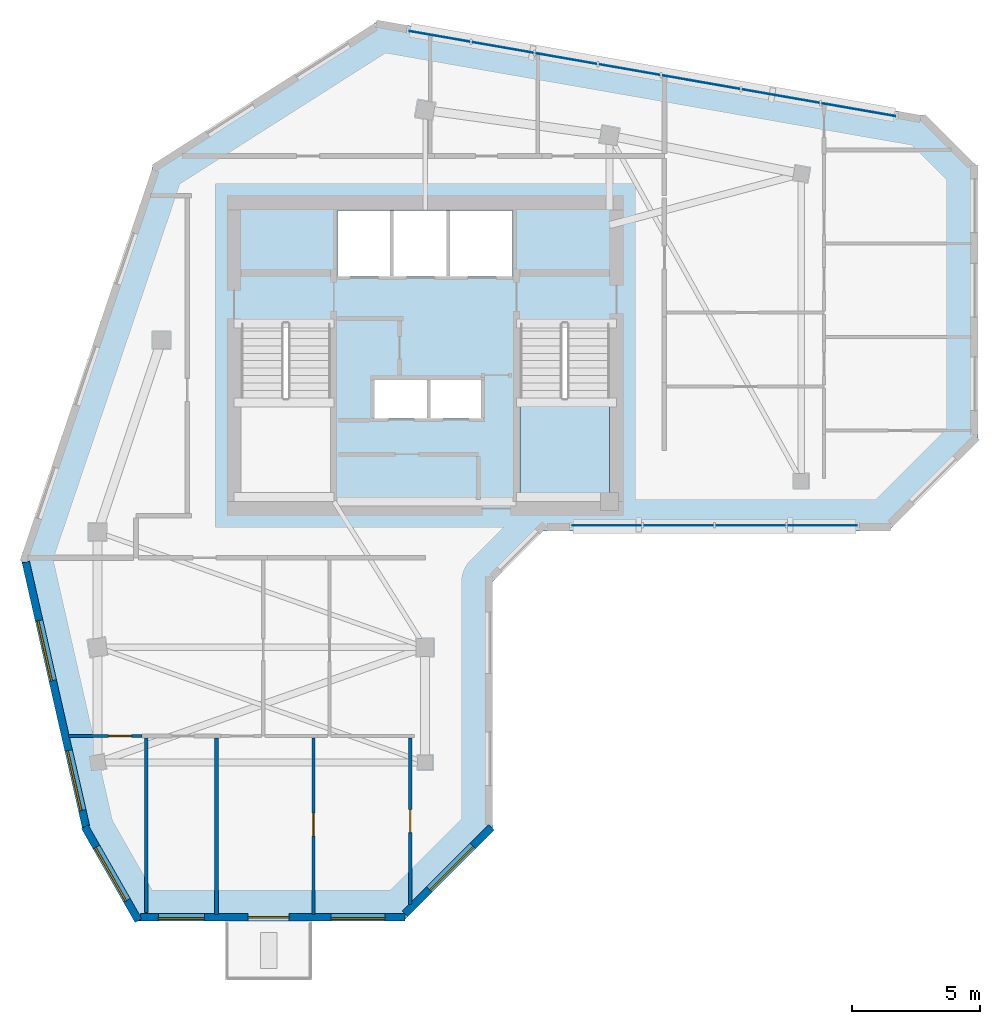
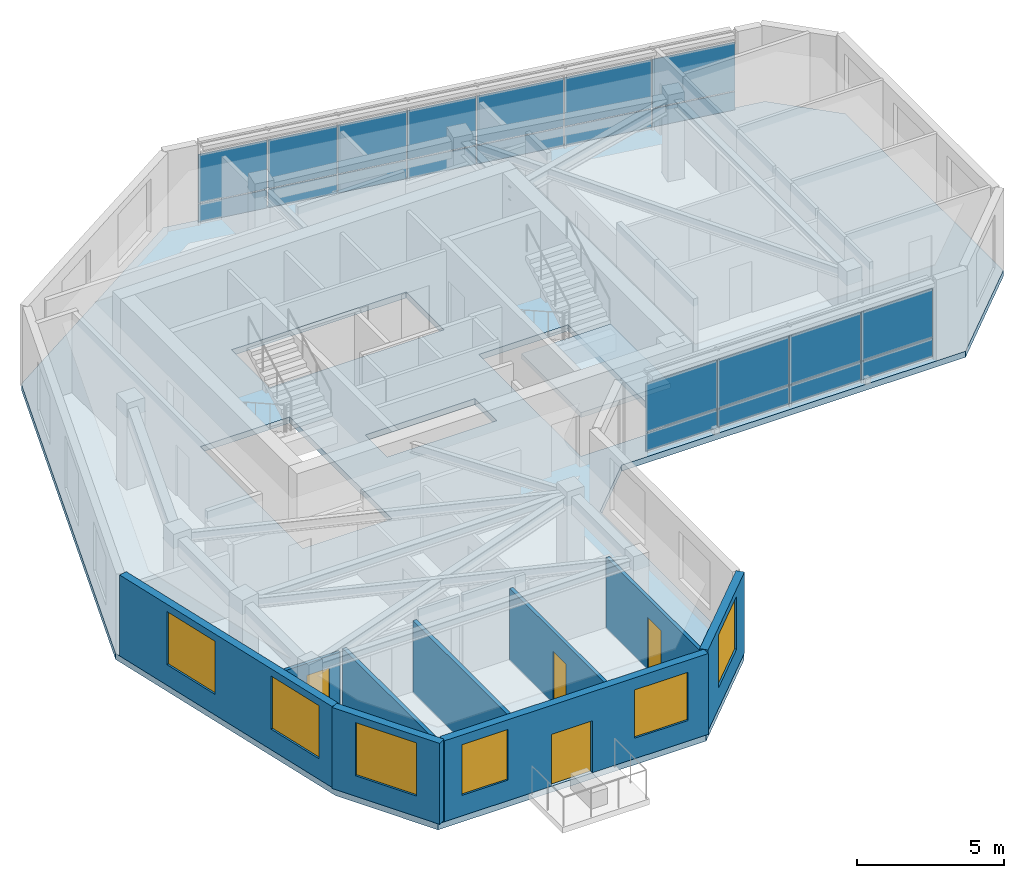
# One storey, part 2 of 8: 22 plates, 9 walls, 6 windows, 4 doors, 2 slabs, 10 openings, 3 elements without a shape of their own.
"""IFC4 building model written with IfcOpenShell, lengths in metres."""

from ifc_helpers import new_model, si_unit, direction, frame, frame_2d, origin, place, context, subcontext, project, spatial, polyline, rectangle, outline, extrude, source, transform, mapped, material, layer, layer_set, type_object, element, fill, aggregate, save


model = new_model("IFC4")

# Units and contexts
model_context = context("Model", 3, precision=1e-05, world=origin(), true_north=direction((0.0, 1.0)))
body_context = subcontext(model_context, "Body", "Model", "MODEL_VIEW")
ifc_project = project(units=[si_unit("LENGTHUNIT", "METRE"), si_unit("AREAUNIT", "SQUARE_METRE"), si_unit("VOLUMEUNIT", "CUBIC_METRE"), si_unit("PLANEANGLEUNIT", "RADIAN"), si_unit("MASSUNIT", "GRAM", prefix="KILO")], contexts=[model_context])

# Site, building, storey
site_placement = place(None, origin())
site = spatial("IfcSite", under=ifc_project, at=site_placement, CompositionType="ELEMENT")
building_placement = place(site_placement, origin())
building = spatial("IfcBuilding", under=site, at=building_placement, Name="Calvemar Wedge Station Tower", CompositionType="ELEMENT")
storey_placement = place(building_placement, frame((0.0, 0.0, 249.300048828125)))
storey = spatial("IfcBuildingStorey", under=building, at=storey_placement, Name="L63", CompositionType="ELEMENT", Elevation=249.300048828125)

# Curtain wall, plates
ifc_material_1 = material(Name="Anodised aluminium 6063-T6", Category="aluminium")
curtain_wall_type = type_object("IfcCurtainWallType", Name="CW6", PredefinedType="NOTDEFINED", material=ifc_material_1)
curtain_wall_1_placement = place(storey_placement, origin())
curtain_wall_1 = element("IfcCurtainWall", 1, at=curtain_wall_1_placement, inside=storey, type_object=curtain_wall_type, Name="Storey L63 CW6 Recessed Unitised Curtain Wall 6", PredefinedType="NOTDEFINED")
ifc_material_2 = material(Name="Low-E laminated insulated glass", Category="glass")
ifc_layer_1 = layer(ifc_material_2, 0.028076171875)
ifc_layer_set_1 = layer_set([ifc_layer_1], Name="Low-E laminated insulated glass")
plate_type_1 = type_object("IfcPlateType", Name="CW6-GLZ", PredefinedType="CURTAIN_PANEL", material=ifc_layer_set_1)
plate_1_placement = place(storey_placement, frame((29.48779296875, 33.26611328125, 0.869873046875), z_axis=(0.0, 0.0, 1.0), x_axis=(1.0, 0.0, 0.0)))
plate_1 = element("IfcPlate", 2, at=plate_1_placement, type_object=plate_type_1, Name="CW6 vision glass panel 1", PredefinedType="CURTAIN_PANEL", context=body_context, shape_type="SweptSolid", body=[
    extrude(rectangle(XDim=2.781005859375, YDim=0.028076171875, at=frame_2d((1.390625, 0.0))), origin(), (0.0, 0.0, 1.0), 2.010009765625),
])
plate_2_placement = place(storey_placement, frame((32.304931640625, 33.26611328125, 0.869873046875), z_axis=(0.0, 0.0, 1.0), x_axis=(1.0, 0.0, 0.0)))
plate_2 = element("IfcPlate", 3, at=plate_2_placement, type_object=plate_type_1, Name="CW6 vision glass panel 2", PredefinedType="CURTAIN_PANEL", context=body_context, shape_type="SweptSolid", body=[
    extrude(rectangle(XDim=2.781005859375, YDim=0.028076171875, at=frame_2d((1.390625, 0.0))), origin(), (0.0, 0.0, 1.0), 2.010009765625),
])
plate_3_placement = place(storey_placement, frame((35.121826171875, 33.26611328125, 0.869873046875), z_axis=(0.0, 0.0, 1.0), x_axis=(1.0, 0.0, 0.0)))
plate_3 = element("IfcPlate", 4, at=plate_3_placement, type_object=plate_type_1, Name="CW6 vision glass panel 3", PredefinedType="CURTAIN_PANEL", context=body_context, shape_type="SweptSolid", body=[
    extrude(rectangle(XDim=2.781005859375, YDim=0.028076171875, at=frame_2d((1.390625, 0.0))), origin(), (0.0, 0.0, 1.0), 2.010009765625),
])
plate_4_placement = place(storey_placement, frame((37.93896484375, 33.26611328125, 0.869873046875), z_axis=(0.0, 0.0, 1.0), x_axis=(1.0, 0.0, 0.0)))
plate_4 = element("IfcPlate", 5, at=plate_4_placement, type_object=plate_type_1, Name="CW6 vision glass panel 4", PredefinedType="CURTAIN_PANEL", context=body_context, shape_type="SweptSolid", body=[
    extrude(rectangle(XDim=2.781005859375, YDim=0.028076171875, at=frame_2d((1.390625, 0.0))), origin(), (0.0, 0.0, 1.0), 2.010009765625),
])

curtain_wall_2_placement = place(storey_placement, origin())
curtain_wall_2 = element("IfcCurtainWall", 6, at=curtain_wall_2_placement, inside=storey, type_object=curtain_wall_type, Name="Storey L63 CW6 Recessed Unitised Curtain Wall 10", PredefinedType="NOTDEFINED")
plate_5_placement = place(storey_placement, frame((42.2158203125, 49.25, 0.869873046875), z_axis=(0.0, 0.0, 1.0), x_axis=(-0.985039826474, 0.172326841378, 0.0)))
plate_5 = element("IfcPlate", 7, at=plate_5_placement, type_object=plate_type_1, Name="CW6 vision glass panel 1", PredefinedType="CURTAIN_PANEL", context=body_context, shape_type="SweptSolid", body=[
    extrude(rectangle(XDim=2.9892578125, YDim=0.028076171875, at=frame_2d((1.49462890625, 0.0))), origin(), (0.0, 0.0, 1.0), 2.010009765625),
])
plate_6_placement = place(storey_placement, frame((39.23583984375, 49.771484375, 0.869873046875), z_axis=(0.0, 0.0, 1.0), x_axis=(-0.985045707379, 0.172293222078, 0.0)))
plate_6 = element("IfcPlate", 8, at=plate_6_placement, type_object=plate_type_1, Name="CW6 vision glass panel 2", PredefinedType="CURTAIN_PANEL", context=body_context, shape_type="SweptSolid", body=[
    extrude(rectangle(XDim=3.12744140625, YDim=0.028076171875, at=frame_2d((1.563720703125, 0.0))), origin(), (0.0, 0.0, 1.0), 2.010009765625),
])
plate_7_placement = place(storey_placement, frame((36.119873046875, 50.31640625, 0.869873046875), z_axis=(0.0, 0.0, 1.0), x_axis=(-0.985032455421, 0.17236896985, 0.0)))
plate_7 = element("IfcPlate", 9, at=plate_7_placement, type_object=plate_type_1, Name="CW6 vision glass panel 3", PredefinedType="CURTAIN_PANEL", context=body_context, shape_type="SweptSolid", body=[
    extrude(rectangle(XDim=3.12744140625, YDim=0.028076171875, at=frame_2d((1.563720703125, 0.0))), origin(), (0.0, 0.0, 1.0), 2.010009765625),
])
plate_8_placement = place(storey_placement, frame((33.00390625, 50.861572265625, 0.869873046875), z_axis=(0.0, 0.0, 1.0), x_axis=(-0.985043436117, 0.172306206978, 0.0)))
plate_8 = element("IfcPlate", 10, at=plate_8_placement, type_object=plate_type_1, Name="CW6 vision glass panel 4", PredefinedType="CURTAIN_PANEL", context=body_context, shape_type="SweptSolid", body=[
    extrude(rectangle(XDim=2.476806640625, YDim=0.028076171875, at=frame_2d((1.23828125, 0.0))), origin(), (0.0, 0.0, 1.0), 2.010009765625),
])
plate_9_placement = place(storey_placement, frame((30.52880859375, 51.294677734375, 0.869873046875), z_axis=(0.0, 0.0, 1.0), x_axis=(-0.985040509104, 0.172322939343, 0.0)))
plate_9 = element("IfcPlate", 11, at=plate_9_placement, type_object=plate_type_1, Name="CW6 vision glass panel 5", PredefinedType="CURTAIN_PANEL", context=body_context, shape_type="SweptSolid", body=[
    extrude(rectangle(XDim=2.4765625, YDim=0.028076171875, at=frame_2d((1.23828125, 0.0))), origin(), (0.0, 0.0, 1.0), 2.010009765625),
])
plate_10_placement = place(storey_placement, frame((28.053955078125, 51.7275390625, 0.869873046875), z_axis=(0.0, 0.0, 1.0), x_axis=(-0.985028799202, 0.172389862645, 0.0)))
plate_10 = element("IfcPlate", 12, at=plate_10_placement, type_object=plate_type_1, Name="CW6 vision glass panel 6", PredefinedType="CURTAIN_PANEL", context=body_context, shape_type="SweptSolid", body=[
    extrude(rectangle(XDim=2.4853515625, YDim=0.028076171875, at=frame_2d((1.24267578125, 0.0))), origin(), (0.0, 0.0, 1.0), 2.010009765625),
])
plate_11_placement = place(storey_placement, frame((25.5703125, 52.162109375, 0.869873046875), z_axis=(0.0, 0.0, 1.0), x_axis=(-0.985039641183, 0.172327900522, 0.0)))
plate_11 = element("IfcPlate", 13, at=plate_11_placement, type_object=plate_type_1, Name="CW6 vision glass panel 7", PredefinedType="CURTAIN_PANEL", context=body_context, shape_type="SweptSolid", body=[
    extrude(rectangle(XDim=2.48486328125, YDim=0.028076171875, at=frame_2d((1.242431640625, 0.0))), origin(), (0.0, 0.0, 1.0), 2.010009765625),
])

# Plate
ifc_material_3 = material(Name="Oxidized bronze aluminium spandrel panel 5005-H24", Category="aluminium")
ifc_layer_2 = layer(ifc_material_3, 0.0400390625)
ifc_layer_set_2 = layer_set([ifc_layer_2], Name="Oxidized bronze aluminium spandrel panel 5005-H24")
plate_type_2 = type_object("IfcPlateType", Name="CW6-SPD", PredefinedType="SHEET", material=ifc_layer_set_2)
plate_12_placement = place(storey_placement, frame((29.48779296875, 33.26611328125, 0.079833984375), z_axis=(0.0, 0.0, 1.0), x_axis=(1.0, 0.0, 0.0)))
plate_12 = element("IfcPlate", 14, at=plate_12_placement, type_object=plate_type_2, Name="CW6 bronze spandrel panel 1", PredefinedType="SHEET", context=body_context, shape_type="SweptSolid", body=[
    extrude(rectangle(XDim=2.781005859375, YDim=0.0400390625, at=frame_2d((1.390625, 0.0))), origin(), (0.0, 0.0, 1.0), 0.75),
])

plate_13_placement = place(storey_placement, frame((32.304931640625, 33.26611328125, 0.079833984375), z_axis=(0.0, 0.0, 1.0), x_axis=(1.0, 0.0, 0.0)))
plate_13 = element("IfcPlate", 15, at=plate_13_placement, type_object=plate_type_2, Name="CW6 bronze spandrel panel 2", PredefinedType="SHEET", context=body_context, shape_type="SweptSolid", body=[
    extrude(rectangle(XDim=2.781005859375, YDim=0.0400390625, at=frame_2d((1.390625, 0.0))), origin(), (0.0, 0.0, 1.0), 0.75),
])

plate_14_placement = place(storey_placement, frame((35.121826171875, 33.26611328125, 0.079833984375), z_axis=(0.0, 0.0, 1.0), x_axis=(1.0, 0.0, 0.0)))
plate_14 = element("IfcPlate", 16, at=plate_14_placement, type_object=plate_type_2, Name="CW6 bronze spandrel panel 3", PredefinedType="SHEET", context=body_context, shape_type="SweptSolid", body=[
    extrude(rectangle(XDim=2.781005859375, YDim=0.0400390625, at=frame_2d((1.390625, 0.0))), origin(), (0.0, 0.0, 1.0), 0.75),
])

plate_15_placement = place(storey_placement, frame((37.93896484375, 33.26611328125, 0.079833984375), z_axis=(0.0, 0.0, 1.0), x_axis=(1.0, 0.0, 0.0)))
plate_15 = element("IfcPlate", 17, at=plate_15_placement, type_object=plate_type_2, Name="CW6 bronze spandrel panel 4", PredefinedType="SHEET", context=body_context, shape_type="SweptSolid", body=[
    extrude(rectangle(XDim=2.781005859375, YDim=0.0400390625, at=frame_2d((1.390625, 0.0))), origin(), (0.0, 0.0, 1.0), 0.75),
])

aggregate(curtain_wall_1, [plate_12, plate_1, plate_13, plate_2, plate_14, plate_3, plate_15, plate_4])

plate_16_placement = place(storey_placement, frame((42.2158203125, 49.25, 0.079833984375), z_axis=(0.0, 0.0, 1.0), x_axis=(-0.985039826474, 0.172326841378, 0.0)))
plate_16 = element("IfcPlate", 18, at=plate_16_placement, type_object=plate_type_2, Name="CW6 bronze spandrel panel 1", PredefinedType="SHEET", context=body_context, shape_type="SweptSolid", body=[
    extrude(rectangle(XDim=2.9892578125, YDim=0.0400390625, at=frame_2d((1.49462890625, 0.0))), origin(), (0.0, 0.0, 1.0), 0.75),
])

plate_17_placement = place(storey_placement, frame((39.23583984375, 49.771484375, 0.079833984375), z_axis=(0.0, 0.0, 1.0), x_axis=(-0.985045707379, 0.172293222078, 0.0)))
plate_17 = element("IfcPlate", 19, at=plate_17_placement, type_object=plate_type_2, Name="CW6 bronze spandrel panel 2", PredefinedType="SHEET", context=body_context, shape_type="SweptSolid", body=[
    extrude(rectangle(XDim=3.12744140625, YDim=0.0400390625, at=frame_2d((1.563720703125, 0.0))), origin(), (0.0, 0.0, 1.0), 0.75),
])

plate_18_placement = place(storey_placement, frame((36.119873046875, 50.31640625, 0.079833984375), z_axis=(0.0, 0.0, 1.0), x_axis=(-0.985032455421, 0.17236896985, 0.0)))
plate_18 = element("IfcPlate", 20, at=plate_18_placement, type_object=plate_type_2, Name="CW6 bronze spandrel panel 3", PredefinedType="SHEET", context=body_context, shape_type="SweptSolid", body=[
    extrude(rectangle(XDim=3.12744140625, YDim=0.0400390625, at=frame_2d((1.563720703125, 0.0))), origin(), (0.0, 0.0, 1.0), 0.75),
])

plate_19_placement = place(storey_placement, frame((33.00390625, 50.861572265625, 0.079833984375), z_axis=(0.0, 0.0, 1.0), x_axis=(-0.985043436117, 0.172306206978, 0.0)))
plate_19 = element("IfcPlate", 21, at=plate_19_placement, type_object=plate_type_2, Name="CW6 bronze spandrel panel 4", PredefinedType="SHEET", context=body_context, shape_type="SweptSolid", body=[
    extrude(rectangle(XDim=2.476806640625, YDim=0.0400390625, at=frame_2d((1.23828125, 0.0))), origin(), (0.0, 0.0, 1.0), 0.75),
])

plate_20_placement = place(storey_placement, frame((30.52880859375, 51.294677734375, 0.079833984375), z_axis=(0.0, 0.0, 1.0), x_axis=(-0.985040509104, 0.172322939343, 0.0)))
plate_20 = element("IfcPlate", 22, at=plate_20_placement, type_object=plate_type_2, Name="CW6 bronze spandrel panel 5", PredefinedType="SHEET", context=body_context, shape_type="SweptSolid", body=[
    extrude(rectangle(XDim=2.4765625, YDim=0.0400390625, at=frame_2d((1.23828125, 0.0))), origin(), (0.0, 0.0, 1.0), 0.75),
])

plate_21_placement = place(storey_placement, frame((28.053955078125, 51.7275390625, 0.079833984375), z_axis=(0.0, 0.0, 1.0), x_axis=(-0.985028799202, 0.172389862645, 0.0)))
plate_21 = element("IfcPlate", 23, at=plate_21_placement, type_object=plate_type_2, Name="CW6 bronze spandrel panel 6", PredefinedType="SHEET", context=body_context, shape_type="SweptSolid", body=[
    extrude(rectangle(XDim=2.4853515625, YDim=0.0400390625, at=frame_2d((1.24267578125, 0.0))), origin(), (0.0, 0.0, 1.0), 0.75),
])

plate_22_placement = place(storey_placement, frame((25.5703125, 52.162109375, 0.079833984375), z_axis=(0.0, 0.0, 1.0), x_axis=(-0.985039641183, 0.172327900522, 0.0)))
plate_22 = element("IfcPlate", 24, at=plate_22_placement, type_object=plate_type_2, Name="CW6 bronze spandrel panel 7", PredefinedType="SHEET", context=body_context, shape_type="SweptSolid", body=[
    extrude(rectangle(XDim=2.48486328125, YDim=0.0400390625, at=frame_2d((1.242431640625, 0.0))), origin(), (0.0, 0.0, 1.0), 0.75),
])

aggregate(curtain_wall_2, [plate_16, plate_5, plate_17, plate_6, plate_18, plate_7, plate_19, plate_8, plate_20, plate_9, plate_21, plate_10, plate_22, plate_11])

# Stair, slab
ifc_material_4 = material(Name="Concrete C45", Category="concrete")
stair_type = type_object("IfcStairType", Name="ST-TYPE-3600", PredefinedType="HALF_TURN_STAIR", material=ifc_material_4)
stair_placement = place(storey_placement, origin())
stair = element("IfcStair", 25, at=stair_placement, inside=storey, type_object=stair_type, Name="L63 Pressurized Core Exit Stair ST-C2", PredefinedType="HALF_TURN_STAIR")
ifc_layer_3 = layer(ifc_material_4, 0.199951171875)
ifc_layer_set_3 = layer_set([ifc_layer_3], Name="Concrete C45")
slab_type_1 = type_object("IfcSlabType", Name="SL-STAIR-LND-200", PredefinedType="LANDING", material=ifc_layer_set_3)
slab_1_placement = place(storey_placement, frame((0.0, 0.0, 1.599853515625)))
slab_1 = element("IfcSlab", 26, at=slab_1_placement, type_object=slab_type_1, Name="ST-C2 landing 1", PredefinedType="LANDING", context=body_context, shape_type="SweptSolid", body=[
    extrude(outline(polyline([(27.5, 38.25), (27.5, 34.199951171875), (31.0, 34.199951171875), (31.0, 38.25), (27.5, 38.25)])), origin(), (0.0, 0.0, 1.0), 0.2001953125),
])
aggregate(stair, [slab_1])

# Slab
ifc_material_5 = material(Name="Concrete C50", Category="concrete")
ifc_layer_4 = layer(ifc_material_5, 0.25)
ifc_layer_set_4 = layer_set([ifc_layer_4], Name="Concrete C50")
slab_type_2 = type_object("IfcSlabType", Name="SL-TYP-250", PredefinedType="FLOOR", material=ifc_layer_set_4)
slab_2_placement = place(storey_placement, frame((0.0, 0.0, -0.25)))
element("IfcSlab", 27, at=slab_2_placement, inside=storey, type_object=slab_type_2, Name="Storey L63 Structural Floor Slab", PredefinedType="FLOOR", context=body_context, shape_type="SweptSolid", body=[
    extrude(outline(polyline([(8.0, 32.0), (10.431884765625, 21.300048828125), (12.431884765625, 17.800048828125), (22.931884765625, 17.800048828125), (26.431884765625, 21.300048828125), (26.431884765625, 31.055908203125), (28.431884765625, 33.055908203125), (41.89990234375, 33.055908203125), (45.39990234375, 36.555908203125), (45.39990234375, 47.256103515625), (43.39990234375, 49.256103515625), (22.0, 53.0), (13.199951171875, 47.39990234375), (8.0, 32.0)]), holes=[polyline([(20.10009765625, 34.199951171875), (20.10009765625, 41.14990234375), (16.60009765625, 41.14990234375), (16.60009765625, 34.199951171875), (20.10009765625, 34.199951171875)]), polyline([(31.0, 34.199951171875), (31.0, 41.14990234375), (27.5, 41.14990234375), (27.5, 34.199951171875), (31.0, 34.199951171875)]), polyline([(23.929931640625, 38.949951171875), (21.7900390625, 38.949951171875), (21.7900390625, 37.449951171875), (23.929931640625, 37.449951171875), (23.93994140625, 37.449951171875), (26.080078125, 37.449951171875), (26.080078125, 38.949951171875), (23.93994140625, 38.949951171875), (23.929931640625, 38.949951171875)]), polyline([(27.219970703125, 43.0), (27.219970703125, 45.580078125), (20.3798828125, 45.580078125), (20.3798828125, 43.0), (27.219970703125, 43.0)])]), origin(), (0.0, 0.0, 1.0), 0.25),
])

# Wall, opening, window
ifc_material_6 = material(Name="Precast concrete C45", Category="concrete")
ifc_layer_5 = layer(ifc_material_6, 0.300048828125)
ifc_layer_set_5 = layer_set([ifc_layer_5], Name="Precast concrete C45")
wall_type_1 = type_object("IfcWallType", Name="W-EXT-GFRC-300", PredefinedType="SOLIDWALL", material=ifc_layer_set_5)
wall_1_placement = place(storey_placement, frame((10.498779296875, 21.4853515625, 0.0), z_axis=(0.0, 0.0, 1.0), x_axis=(0.496163848656, -0.868228907194, 0.0)))
wall_1 = element("IfcWall", 28, at=wall_1_placement, inside=storey, type_object=wall_type_1, Name="Storey L63 Bronze GFRC Exterior Wall 1", PredefinedType="SOLIDWALL", context=body_context, shape_type="SweptSolid", body=[
    extrude(rectangle(XDim=4.221923828125, YDim=0.300048828125, at=frame_2d((2.11083984375, 0.0))), origin(), (0.0, 0.0, 1.0), 3.349853515625),
])
shared_shape_1 = source(origin(), body_context, "Body", "SweptSolid", [
    extrude(rectangle(XDim=2.39990234375, YDim=2.199951171875, at=frame_2d((1.199951171875, 1.10009765625))), frame((0.0, 0.16015625, 0.0), z_axis=(0.0, -1.0, 0.0), x_axis=(1.0, 0.0, 0.0)), (0.0, 0.0, 1.0), 0.320068359375),
])
opening_1_placement = place(wall_1_placement, frame((0.910888671875, 0.0, 0.85009765625)))
opening_1 = element("IfcOpeningElement", 29, at=opening_1_placement, cuts=wall_1, Name="Opening W1", PredefinedType="OPENING", context=body_context, shape_type="MappedRepresentation", body=[
    mapped(shared_shape_1, transform((0.0, 0.0, 0.0), scale=1.0)),
])
window_type_1 = type_object("IfcWindowType", Name="WIN-EXT-1", PartitioningType="SINGLE_PANEL", PredefinedType="WINDOW", material=ifc_material_2)
shared_shape_2 = source(origin(), body_context, "Body", "SweptSolid", [
    extrude(rectangle(XDim=2.39990234375, YDim=2.199951171875, at=frame_2d((1.199951171875, 1.10009765625))), frame((0.0, -0.014892578125, 0.0), z_axis=(0.0, -1.0, 0.0), x_axis=(1.0, 0.0, 0.0)), (0.0, 0.0, 1.0), 0.06005859375),
])
window_1_placement = place(opening_1_placement, origin())
window_1 = element("IfcWindow", 30, at=window_1_placement, inside=storey, type_object=window_type_1, Name="Storey L63 Recessed Window 1.1", OverallHeight=2.199951171875, OverallWidth=2.39990234375, PartitioningType="SINGLE_PANEL", PredefinedType="WINDOW", context=body_context, shape_type="MappedRepresentation", body=[
    mapped(shared_shape_2, transform((0.0, 0.0, 0.0), scale=1.0)),
])
fill(opening_1, window_1)

# Wall, openings, windows, door
wall_2_placement = place(storey_placement, frame((12.677978515625, 17.949951171875, 0.0), z_axis=(0.0, 0.0, 1.0), x_axis=(1.0, 0.0, 0.0)))
wall_2 = element("IfcWall", 31, at=wall_2_placement, inside=storey, type_object=wall_type_1, Name="Storey L63 Bronze GFRC Exterior Wall 2", PredefinedType="SOLIDWALL", context=body_context, shape_type="SweptSolid", body=[
    extrude(rectangle(XDim=10.342041015625, YDim=0.300048828125, at=frame_2d((5.1708984375, 0.0))), origin(), (0.0, 0.0, 1.0), 3.349853515625),
])
shared_shape_3 = source(origin(), body_context, "Body", "SweptSolid", [
    extrude(rectangle(XDim=1.60009765625, YDim=2.14990234375, at=frame_2d((0.800048828125, 1.074951171875))), frame((0.0, 0.16015625, 0.0), z_axis=(0.0, -1.0, 0.0), x_axis=(1.0, 0.0, 0.0)), (0.0, 0.0, 1.0), 0.320068359375),
])
opening_2_placement = place(wall_2_placement, frame((4.2041015625, 0.0, 0.0)))
opening_2 = element("IfcOpeningElement", 32, at=opening_2_placement, cuts=wall_2, Name="Opening DT1", PredefinedType="OPENING", context=body_context, shape_type="MappedRepresentation", body=[
    mapped(shared_shape_3, transform((0.0, 0.0, 0.0), scale=1.0)),
])
shared_shape_4 = source(origin(), body_context, "Body", "SweptSolid", [
    extrude(rectangle(XDim=1.800048828125, YDim=2.10009765625, at=frame_2d((0.89990234375, 1.050048828125))), frame((0.0, 0.16015625, 0.0), z_axis=(0.0, -1.0, 0.0), x_axis=(1.0, 0.0, 0.0)), (0.0, 0.0, 1.0), 0.320068359375),
])
opening_3_placement = place(wall_2_placement, frame((0.697021484375, 0.0, 0.85009765625)))
opening_3 = element("IfcOpeningElement", 33, at=opening_3_placement, cuts=wall_2, Name="Opening W2", PredefinedType="OPENING", context=body_context, shape_type="MappedRepresentation", body=[
    mapped(shared_shape_4, transform((0.0, 0.0, 0.0), scale=1.0)),
])
shared_shape_5 = source(origin(), body_context, "Body", "SweptSolid", [
    extrude(rectangle(XDim=2.10009765625, YDim=2.0, at=frame_2d((1.050048828125, 1.0))), frame((0.0, 0.16015625, 0.0), z_axis=(0.0, -1.0, 0.0), x_axis=(1.0, 0.0, 0.0)), (0.0, 0.0, 1.0), 0.320068359375),
])
opening_4_placement = place(wall_2_placement, frame((7.448974609375, 0.0, 0.85009765625)))
opening_4 = element("IfcOpeningElement", 34, at=opening_4_placement, cuts=wall_2, Name="Opening W4", PredefinedType="OPENING", context=body_context, shape_type="MappedRepresentation", body=[
    mapped(shared_shape_5, transform((0.0, 0.0, 0.0), scale=1.0)),
])
window_type_2 = type_object("IfcWindowType", Name="WIN-EXT-4", PartitioningType="SINGLE_PANEL", PredefinedType="WINDOW", material=ifc_material_2)
shared_shape_6 = source(origin(), body_context, "Body", "SweptSolid", [
    extrude(rectangle(XDim=2.10009765625, YDim=2.0, at=frame_2d((1.050048828125, 1.0))), frame((0.0, -0.014892578125, 0.0), z_axis=(0.0, -1.0, 0.0), x_axis=(1.0, 0.0, 0.0)), (0.0, 0.0, 1.0), 0.06005859375),
])
window_2_placement = place(opening_4_placement, origin())
window_2 = element("IfcWindow", 35, at=window_2_placement, inside=storey, type_object=window_type_2, Name="Storey L63 Recessed Window 2.2", OverallHeight=2.0, OverallWidth=2.10009765625, PartitioningType="SINGLE_PANEL", PredefinedType="WINDOW", context=body_context, shape_type="MappedRepresentation", body=[
    mapped(shared_shape_6, transform((0.0, 0.0, 0.0), scale=1.0)),
])
fill(opening_4, window_2)
window_type_3 = type_object("IfcWindowType", Name="WIN-EXT-2", PartitioningType="SINGLE_PANEL", PredefinedType="WINDOW", material=ifc_material_2)
shared_shape_7 = source(origin(), body_context, "Body", "SweptSolid", [
    extrude(rectangle(XDim=1.800048828125, YDim=2.10009765625, at=frame_2d((0.89990234375, 1.050048828125))), frame((0.0, -0.014892578125, 0.0), z_axis=(0.0, -1.0, 0.0), x_axis=(1.0, 0.0, 0.0)), (0.0, 0.0, 1.0), 0.06005859375),
])
window_3_placement = place(opening_3_placement, origin())
window_3 = element("IfcWindow", 36, at=window_3_placement, inside=storey, type_object=window_type_3, Name="Storey L63 Recessed Window 2.1", OverallHeight=2.10009765625, OverallWidth=1.800048828125, PartitioningType="SINGLE_PANEL", PredefinedType="WINDOW", context=body_context, shape_type="MappedRepresentation", body=[
    mapped(shared_shape_7, transform((0.0, 0.0, 0.0), scale=1.0)),
])
fill(opening_3, window_3)
door_type_1 = type_object("IfcDoorType", Name="DR-TERR-1600", OperationType="DOUBLE_DOOR_SLIDING", PredefinedType="DOOR", material=ifc_material_1)
shared_shape_8 = source(origin(), body_context, "Body", "SweptSolid", [
    extrude(rectangle(XDim=1.60009765625, YDim=2.14990234375, at=frame_2d((0.800048828125, 1.074951171875))), frame((0.0, 0.02490234375, 0.0), z_axis=(0.0, -1.0, 0.0), x_axis=(1.0, 0.0, 0.0)), (0.0, 0.0, 1.0), 0.050048828125),
])
door_1_placement = place(opening_2_placement, origin())
door_1 = element("IfcDoor", 37, at=door_1_placement, inside=storey, type_object=door_type_1, Name="Storey L63 Spiral Terrace Door", OperationType="DOUBLE_DOOR_SLIDING", OverallHeight=2.14990234375, OverallWidth=1.60009765625, PredefinedType="DOOR", context=body_context, shape_type="MappedRepresentation", body=[
    mapped(shared_shape_8, transform((0.0, 0.0, 0.0), scale=1.0)),
])
fill(opening_2, door_1)

# Wall, opening, window
wall_3_placement = place(storey_placement, frame((23.0078125, 18.087890625, 0.0), z_axis=(0.0, 0.0, 1.0), x_axis=(0.707106781187, 0.707106781187, 0.0)))
wall_3 = element("IfcWall", 38, at=wall_3_placement, inside=storey, type_object=wall_type_1, Name="Storey L63 Bronze GFRC Exterior Wall 3", PredefinedType="SOLIDWALL", context=body_context, shape_type="SweptSolid", body=[
    extrude(rectangle(XDim=4.780517578125, YDim=0.300048828125, at=frame_2d((2.39013671875, 0.0))), origin(), (0.0, 0.0, 1.0), 3.349853515625),
])
opening_5_placement = place(wall_3_placement, frame((1.345947265625, 0.0, 0.85009765625)))
opening_5 = element("IfcOpeningElement", 39, at=opening_5_placement, cuts=wall_3, Name="Opening W1", PredefinedType="OPENING", context=body_context, shape_type="MappedRepresentation", body=[
    mapped(shared_shape_1, transform((0.0, 0.0, 0.0), scale=1.0)),
])
window_4_placement = place(opening_5_placement, origin())
window_4 = element("IfcWindow", 40, at=window_4_placement, inside=storey, type_object=window_type_1, Name="Storey L63 Recessed Window 3.1", OverallHeight=2.199951171875, OverallWidth=2.39990234375, PartitioningType="SINGLE_PANEL", PredefinedType="WINDOW", context=body_context, shape_type="MappedRepresentation", body=[
    mapped(shared_shape_2, transform((0.0, 0.0, 0.0), scale=1.0)),
])
fill(opening_5, window_4)

# Wall, openings, windows
wall_4_placement = place(storey_placement, frame((8.19140625, 31.834228515625, 0.0), z_axis=(0.0, 0.0, 1.0), x_axis=(0.221636032737, -0.975129462683, 0.0)))
wall_4 = element("IfcWall", 41, at=wall_4_placement, inside=storey, type_object=wall_type_1, Name="Storey L63 Bronze GFRC Exterior Wall 13", PredefinedType="SOLIDWALL", context=body_context, shape_type="SweptSolid", body=[
    extrude(rectangle(XDim=10.602294921875, YDim=0.300048828125, at=frame_2d((5.30126953125, 0.0))), origin(), (0.0, 0.0, 1.0), 3.349853515625),
])
opening_6_placement = place(wall_4_placement, frame((2.35107421875, 0.0, 0.85009765625)))
opening_6 = element("IfcOpeningElement", 42, at=opening_6_placement, cuts=wall_4, Name="Opening W1", PredefinedType="OPENING", context=body_context, shape_type="MappedRepresentation", body=[
    mapped(shared_shape_1, transform((0.0, 0.0, 0.0), scale=1.0)),
])
opening_7_placement = place(wall_4_placement, frame((7.552001953125, 0.0, 0.85009765625)))
opening_7 = element("IfcOpeningElement", 43, at=opening_7_placement, cuts=wall_4, Name="Opening W1", PredefinedType="OPENING", context=body_context, shape_type="MappedRepresentation", body=[
    mapped(shared_shape_1, transform((0.0, 0.0, 0.0), scale=1.0)),
])
window_5_placement = place(opening_6_placement, origin())
window_5 = element("IfcWindow", 44, at=window_5_placement, inside=storey, type_object=window_type_1, Name="Storey L63 Recessed Window 13.1", OverallHeight=2.199951171875, OverallWidth=2.39990234375, PartitioningType="SINGLE_PANEL", PredefinedType="WINDOW", context=body_context, shape_type="MappedRepresentation", body=[
    mapped(shared_shape_2, transform((0.0, 0.0, 0.0), scale=1.0)),
])
fill(opening_6, window_5)
window_6_placement = place(opening_7_placement, origin())
window_6 = element("IfcWindow", 45, at=window_6_placement, inside=storey, type_object=window_type_1, Name="Storey L63 Recessed Window 13.2", OverallHeight=2.199951171875, OverallWidth=2.39990234375, PartitioningType="SINGLE_PANEL", PredefinedType="WINDOW", context=body_context, shape_type="MappedRepresentation", body=[
    mapped(shared_shape_2, transform((0.0, 0.0, 0.0), scale=1.0)),
])
fill(opening_7, window_6)

# Wall, opening, door
ifc_material_7 = material(Name="Insulated acoustic gypsum stud partition")
ifc_layer_6 = layer(ifc_material_7, 0.125)
ifc_layer_set_6 = layer_set([ifc_layer_6], Name="Insulated acoustic gypsum stud partition")
wall_type_2 = type_object("IfcWallType", Name="W-PART-125", PredefinedType="PARTITIONING", material=ifc_layer_set_6)
wall_5_placement = place(storey_placement, frame((12.738037109375, 25.031982421875, 0.0), z_axis=(0.0, 0.0, 1.0), x_axis=(-1.0, 0.0, 0.0)))
wall_5 = element("IfcWall", 46, at=wall_5_placement, inside=storey, type_object=wall_type_2, Name="Storey L63 Interior Partition WL-L63-042", PredefinedType="PARTITIONING", context=body_context, shape_type="SweptSolid", body=[
    extrude(rectangle(XDim=2.882568359375, YDim=0.125, at=frame_2d((1.44140625, 0.0))), origin(), (0.0, 0.0, 1.0), 2.641845703125),
])
shared_shape_9 = source(origin(), body_context, "Body", "SweptSolid", [
    extrude(rectangle(XDim=0.89990234375, YDim=2.14990234375, at=frame_2d((0.449951171875, 1.074951171875))), frame((0.0, 0.072509765625, 0.0), z_axis=(0.0, -1.0, 0.0), x_axis=(1.0, 0.0, 0.0)), (0.0, 0.0, 1.0), 0.14501953125),
])
opening_8_placement = place(wall_5_placement, frame((0.4091796875, 0.0, 0.0)))
opening_8 = element("IfcOpeningElement", 47, at=opening_8_placement, cuts=wall_5, Name="Opening D-01", PredefinedType="OPENING", context=body_context, shape_type="MappedRepresentation", body=[
    mapped(shared_shape_9, transform((0.0, 0.0, 0.0), scale=1.0)),
])
ifc_material_8 = material(Name="Architectural hardwood acoustic swing door", Category="wood")
door_type_2 = type_object("IfcDoorType", Name="DR-INT-900", OperationType="NOTDEFINED", PredefinedType="DOOR", material=ifc_material_8)
shared_shape_10 = source(origin(), body_context, "Body", "SweptSolid", [
    extrude(rectangle(XDim=0.89990234375, YDim=2.14990234375, at=frame_2d((0.449951171875, 1.074951171875))), frame((0.0, 0.02490234375, 0.0), z_axis=(0.0, -1.0, 0.0), x_axis=(1.0, 0.0, 0.0)), (0.0, 0.0, 1.0), 0.050048828125),
])
door_2_placement = place(opening_8_placement, origin())
door_2 = element("IfcDoor", 48, at=door_2_placement, inside=storey, type_object=door_type_2, Name="L63 Bedroom Door", OperationType="SINGLE_SWING_RIGHT", OverallHeight=2.14990234375, OverallWidth=0.89990234375, PredefinedType="DOOR", context=body_context, shape_type="MappedRepresentation", body=[
    mapped(shared_shape_10, transform((0.0, 0.0, 0.0), scale=1.0)),
])
fill(opening_8, door_2)

wall_6_placement = place(storey_placement, frame((19.43408203125, 24.965576171875, 0.0), z_axis=(0.0, 0.0, 1.0), x_axis=(0.0, -1.0, 0.0)))
wall_6 = element("IfcWall", 49, at=wall_6_placement, inside=storey, type_object=wall_type_2, Name="Storey L63 Interior Partition WL-L63-048", PredefinedType="PARTITIONING", context=body_context, shape_type="SweptSolid", body=[
    extrude(rectangle(XDim=6.900634765625, YDim=0.125, at=frame_2d((3.4501953125, 0.0))), origin(), (0.0, 0.0, 1.0), 2.97900390625),
])
opening_9_placement = place(wall_6_placement, frame((2.939697265625, 0.0, 0.0)))
opening_9 = element("IfcOpeningElement", 50, at=opening_9_placement, cuts=wall_6, Name="Opening D-01", PredefinedType="OPENING", context=body_context, shape_type="MappedRepresentation", body=[
    mapped(shared_shape_9, transform((0.0, 0.0, 0.0), scale=1.0)),
])
door_3_placement = place(opening_9_placement, origin())
door_3 = element("IfcDoor", 51, at=door_3_placement, inside=storey, type_object=door_type_2, Name="L63 Bedroom Door", OperationType="SINGLE_SWING_RIGHT", OverallHeight=2.14990234375, OverallWidth=0.89990234375, PredefinedType="DOOR", context=body_context, shape_type="MappedRepresentation", body=[
    mapped(shared_shape_10, transform((0.0, 0.0, 0.0), scale=1.0)),
])
fill(opening_9, door_3)

wall_7_placement = place(storey_placement, frame((23.217041015625, 24.965576171875, 0.0), z_axis=(0.0, 0.0, 1.0), x_axis=(0.0, -1.0, 0.0)))
wall_7 = element("IfcWall", 52, at=wall_7_placement, inside=storey, type_object=wall_type_2, Name="Storey L63 Interior Partition WL-L63-049", PredefinedType="PARTITIONING", context=body_context, shape_type="SweptSolid", body=[
    extrude(rectangle(XDim=6.505859375, YDim=0.125, at=frame_2d((3.2529296875, 0.0))), origin(), (0.0, 0.0, 1.0), 2.93505859375),
])
opening_10_placement = place(wall_7_placement, frame((2.802734375, 0.0, 0.0)))
opening_10 = element("IfcOpeningElement", 53, at=opening_10_placement, cuts=wall_7, Name="Opening D-01", PredefinedType="OPENING", context=body_context, shape_type="MappedRepresentation", body=[
    mapped(shared_shape_9, transform((0.0, 0.0, 0.0), scale=1.0)),
])
door_4_placement = place(opening_10_placement, origin())
door_4 = element("IfcDoor", 54, at=door_4_placement, inside=storey, type_object=door_type_2, Name="L63 Master Bedroom Door", OperationType="SINGLE_SWING_LEFT", OverallHeight=2.14990234375, OverallWidth=0.89990234375, PredefinedType="DOOR", context=body_context, shape_type="MappedRepresentation", body=[
    mapped(shared_shape_10, transform((0.0, 0.0, 0.0), scale=1.0)),
])
fill(opening_10, door_4)

# Walls
ifc_material_9 = material(Name="Moisture-resistant acoustic bathroom partition")
ifc_layer_7 = layer(ifc_material_9, 0.14990234375)
ifc_layer_set_7 = layer_set([ifc_layer_7], Name="Moisture-resistant acoustic bathroom partition")
wall_type_3 = type_object("IfcWallType", Name="W-WET-150", PredefinedType="PARTITIONING", material=ifc_layer_set_7)
wall_8_placement = place(storey_placement, frame((12.89990234375, 18.135009765625, 0.0), z_axis=(0.0, 0.0, 1.0), x_axis=(0.0, 1.0, 0.0)))
element("IfcWall", 55, at=wall_8_placement, inside=storey, type_object=wall_type_3, Name="Storey L63 Interior Partition WL-L63-046", PredefinedType="PARTITIONING", context=body_context, shape_type="SweptSolid", body=[
    extrude(rectangle(XDim=6.81787109375, YDim=0.14990234375, at=frame_2d((3.408935546875, 0.0))), origin(), (0.0, 0.0, 1.0), 2.787841796875),
])
wall_9_placement = place(storey_placement, frame((15.64990234375, 24.952880859375, 0.0), z_axis=(0.0, 0.0, 1.0), x_axis=(0.0, -1.0, 0.0)))
element("IfcWall", 56, at=wall_9_placement, inside=storey, type_object=wall_type_3, Name="Storey L63 Interior Partition WL-L63-047", PredefinedType="PARTITIONING", context=body_context, shape_type="SweptSolid", body=[
    extrude(rectangle(XDim=6.887939453125, YDim=0.14990234375, at=frame_2d((3.44384765625, 0.0))), origin(), (0.0, 0.0, 1.0), 2.97900390625),
])

save(model, "model.ifc")
